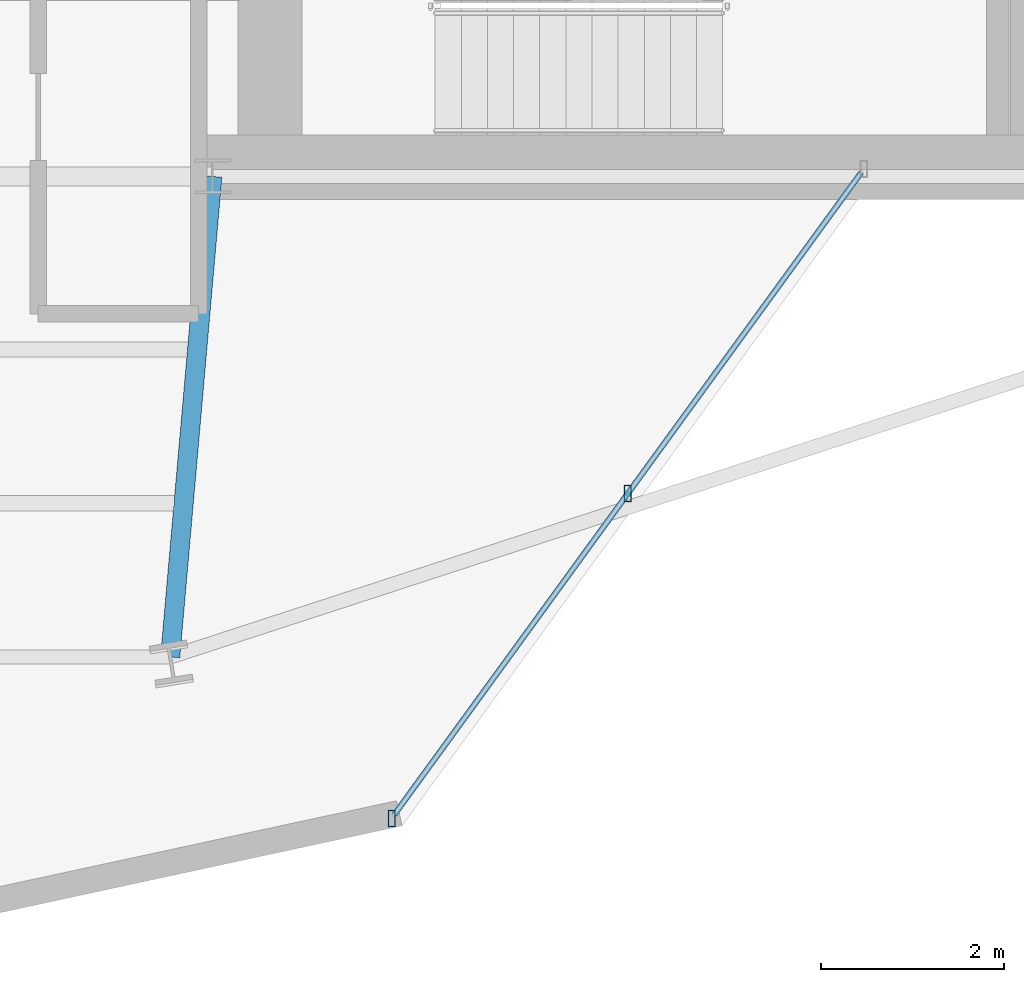
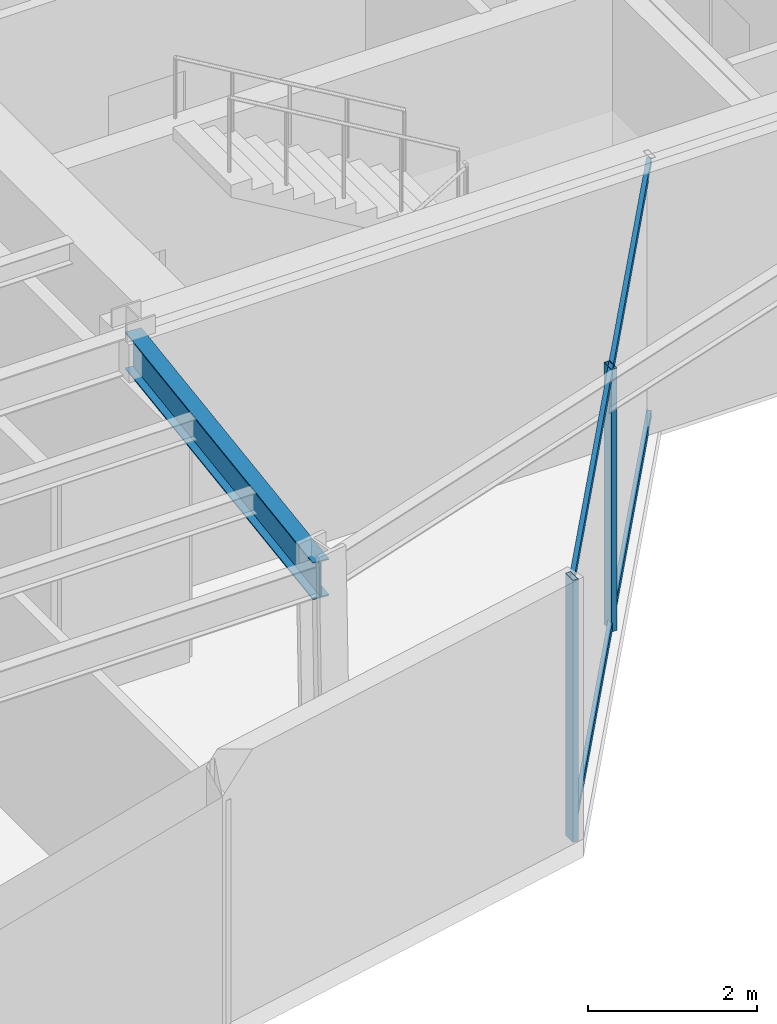
# One storey, part 6 of 21: 4 members, 1 beam, 1 element without a shape of its own.
"""IFC4 building model written with IfcOpenShell, lengths in metres."""

import ifcopenshell
import ifcopenshell.guid

model = None  # the IFC model being written
_history = None  # IfcOwnerHistory: only IFC2X3 demands one
_inside = {}  # id of a spatial element -> (the spatial element, [elements in it])
_under = {}  # id of a project, library or spatial element -> (it, [spatial elements below it])
_declared = {}  # id of a project -> (the project, [libraries it declares])
_typed = {}  # id of a type object -> (the type object, [elements of that type])
_made_of = {}  # id of a material, layer set ... -> (it, [elements and type objects made of it])


def new_model(schema):
    """Start an empty IFC model of exactly this schema.

    Asked for "IFC4X3", IfcOpenShell would pick the latest addendum, in which some entities
    have other attributes; the version numbers below select the first issue.
    IFC2X3 requires an IfcOwnerHistory on every rooted entity: one is made here for all.
    """
    global model, _history
    if schema == "IFC4X3":
        model = ifcopenshell.file(schema_version=(4, 3, 0, 0))
    else:
        model = ifcopenshell.file(schema=schema)
    _inside.clear()
    _under.clear()
    _declared.clear()
    _typed.clear()
    _made_of.clear()
    _history = None
    if model.schema == "IFC2X3":
        org = make("IfcOrganization", Name="unknown")
        user = make(
            "IfcPersonAndOrganization",
            ThePerson=make("IfcPerson", FamilyName="unknown"),
            TheOrganization=org,
        )
        app = make(
            "IfcApplication",
            ApplicationDeveloper=org,
            Version="unknown",
            ApplicationFullName="unknown",
            ApplicationIdentifier="unknown",
        )
        _history = make(
            "IfcOwnerHistory",
            OwningUser=user,
            OwningApplication=app,
            ChangeAction="ADDED",
            CreationDate=0,
        )
    return model


def make(cls, **values):
    """One entity of the class cls with the attributes given. An attribute that is None is left unset."""
    return model.create_entity(
        cls, **{name: value for name, value in values.items() if value is not None}
    )


def rooted(cls, **values):
    """An entity with a GlobalId (a new one), such as an element, a storey or a relation."""
    return make(cls, GlobalId=ifcopenshell.guid.new(), OwnerHistory=_history, **values)


def si_unit(unit_type, name, prefix=None):
    """IfcSIUnit, for example si_unit("LENGTHUNIT", "METRE", prefix="MILLI")."""
    return make("IfcSIUnit", UnitType=unit_type, Prefix=prefix, Name=name)


def assignment(units):
    """IfcUnitAssignment: the units of a project."""
    return None if units is None else make("IfcUnitAssignment", Units=units)


def point(xyz):
    """IfcCartesianPoint."""
    return None if xyz is None else make("IfcCartesianPoint", Coordinates=xyz)


def direction(xyz):
    """IfcDirection."""
    return None if xyz is None else make("IfcDirection", DirectionRatios=xyz)


def frame(location, z_axis=None, x_axis=None):
    """IfcAxis2Placement3D, a coordinate frame: its origin and axes. An axis left out is left unset."""
    return make(
        "IfcAxis2Placement3D",
        Location=point(location),
        Axis=direction(z_axis),
        RefDirection=direction(x_axis),
    )


def frame_2d(location, x_axis=None):
    """IfcAxis2Placement2D, a coordinate frame in the plane: its origin and x axis."""
    return make(
        "IfcAxis2Placement2D", Location=point(location), RefDirection=direction(x_axis)
    )


def origin():
    """The frame at (0, 0, 0) with its axes left unset."""
    return frame((0.0, 0.0, 0.0))


def origin_2d():
    """The frame at (0, 0) in the plane with its x axis left unset."""
    return frame_2d((0.0, 0.0))


def place(relative_to, where):
    """IfcLocalPlacement: puts the frame where relative to a parent placement (None: the world)."""
    return make(
        "IfcLocalPlacement", PlacementRelTo=relative_to, RelativePlacement=where
    )


def context(
    kind, dimensions, precision=None, world=None, true_north=None, identifier=None
):
    """IfcGeometricRepresentationContext, for example the 3D "Model" context."""
    return make(
        "IfcGeometricRepresentationContext",
        ContextIdentifier=identifier,
        ContextType=kind,
        CoordinateSpaceDimension=dimensions,
        Precision=precision,
        WorldCoordinateSystem=world,
        TrueNorth=true_north,
    )


def subcontext(parent, identifier, kind, view, scale=None):
    """IfcGeometricRepresentationSubContext, for example "Body" below "Model"."""
    return make(
        "IfcGeometricRepresentationSubContext",
        ContextIdentifier=identifier,
        ContextType=kind,
        ParentContext=parent,
        TargetScale=scale,
        TargetView=view,
    )


def project(units=None, contexts=None):
    """IfcProject with its units and contexts."""
    return rooted(
        "IfcProject",
        Name="project",
        RepresentationContexts=contexts,
        UnitsInContext=assignment(units),
    )


def spatial(cls, under=None, at=None, **own):
    """A site, building, storey or space (cls), placed at a placement, below another one or the project."""
    s = rooted(cls, ObjectPlacement=at, **own)
    if under is not None:
        _under.setdefault(under.id(), (under, []))[1].append(s)
    return s


def profile(cls, at=None, kind="AREA", **sizes):
    """A parametric profile (cls). Its sizes go by their IFC names, for example OverallWidth=200.0."""
    return make(cls, ProfileType=kind, Position=at, **sizes)


def hollow_rectangle(**sizes):
    """IfcRectangleHollowProfileDef."""
    return profile("IfcRectangleHollowProfileDef", **sizes)


def i_section(**sizes):
    """IfcIShapeProfileDef."""
    return profile("IfcIShapeProfileDef", **sizes)


def extrude(swept, where, along, depth):
    """IfcExtrudedAreaSolid: the profile swept, set in the frame where, extruded along a direction by depth."""
    return make(
        "IfcExtrudedAreaSolid",
        SweptArea=swept,
        Position=where,
        ExtrudedDirection=direction(along),
        Depth=depth,
    )


def shape(context_of_items, identifier, shape_type, items):
    """IfcShapeRepresentation: the items that make up one representation, for example the "Body"."""
    return make(
        "IfcShapeRepresentation",
        ContextOfItems=context_of_items,
        RepresentationIdentifier=identifier,
        RepresentationType=shape_type,
        Items=items,
    )


def material(Name=None, Category=None):
    """IfcMaterial."""
    return make("IfcMaterial", Name=Name, Category=Category)


def layer(
    of_material, thickness, ventilated=None, Name=None, Category=None, Priority=None
):
    """IfcMaterialLayer: one layer of a wall or slab, of a material (None: an air gap)."""
    return make(
        "IfcMaterialLayer",
        Material=of_material,
        LayerThickness=thickness,
        IsVentilated=ventilated,
        Name=Name,
        Category=Category,
        Priority=Priority,
    )


def layer_set(layers, Name=None):
    """IfcMaterialLayerSet."""
    return make("IfcMaterialLayerSet", MaterialLayers=layers, LayerSetName=Name)


def material_profile(
    of_material, cross_section, Name=None, Category=None, Priority=None
):
    """IfcMaterialProfile: a cross section and its material."""
    return make(
        "IfcMaterialProfile",
        Name=Name,
        Material=of_material,
        Profile=cross_section,
        Priority=Priority,
        Category=Category,
    )


def profile_set(profiles, Name=None, composite=None):
    """IfcMaterialProfileSet."""
    return make(
        "IfcMaterialProfileSet",
        Name=Name,
        MaterialProfiles=profiles,
        CompositeProfile=composite,
    )


def made_of(thing, what):
    """Note that an element or type object is made of a material, layer set ...; save() writes the relation."""
    if what is not None:
        _made_of.setdefault(what.id(), (what, []))[1].append(thing)
    return thing


def type_object(cls, material=None, **own):
    """A type object (cls), such as IfcWallType, which elements share."""
    return made_of(rooted(cls, **own), material)


def element(
    cls,
    number,
    at=None,
    inside=None,
    cuts=None,
    type_object=None,
    material=None,
    context=None,
    identifier="Body",
    shape_type=None,
    held_by="IfcProductDefinitionShape",
    body=None,
    shapes=None,
    **own,
):
    """One element of the class cls, such as IfcWall. Its Tag is "e" and its number.

    at: its placement. inside: the storey or other place that contains it. cuts: it is an
    opening in that element (IfcRelVoidsElement). A single representation is given by context,
    identifier, shape_type and body (its items); several are given by shapes. held_by: the class
    of the entity that holds the representations. save() writes the other relations.
    """
    e = rooted(cls, Tag="e%d" % number, ObjectPlacement=at, **own)
    if body is not None:
        shapes = [shape(context, identifier, shape_type, body)]
    if shapes is not None:
        e.Representation = make(held_by, Representations=shapes)
    if inside is not None:
        _inside.setdefault(inside.id(), (inside, []))[1].append(e)
    if cuts is not None:
        rooted(
            "IfcRelVoidsElement", RelatingBuildingElement=cuts, RelatedOpeningElement=e
        )
    if type_object is not None:
        _typed.setdefault(type_object.id(), (type_object, []))[1].append(e)
    return made_of(e, material)


def aggregate(whole, parts):
    """IfcRelAggregates: a whole, such as a stair, and the parts it consists of."""
    return rooted("IfcRelAggregates", RelatingObject=whole, RelatedObjects=parts)


def save(model, path):
    """Write the relations noted so far, then the file.

    IfcRelAggregates (storeys below a building ...), IfcRelContainedInSpatialStructure (elements
    in a storey), IfcRelDefinesByType, IfcRelAssociatesMaterial and IfcRelDeclares: one each for
    every whole, place, type object, material and project.
    """
    for whole, parts in _under.values():
        aggregate(whole, parts)
    for where, things in _inside.values():
        rooted(
            "IfcRelContainedInSpatialStructure",
            RelatedElements=things,
            RelatingStructure=where,
        )
    for kind, things in _typed.values():
        rooted("IfcRelDefinesByType", RelatedObjects=things, RelatingType=kind)
    for what, things in _made_of.values():
        rooted("IfcRelAssociatesMaterial", RelatedObjects=things, RelatingMaterial=what)
    for by, libraries in _declared.values():
        rooted("IfcRelDeclares", RelatingContext=by, RelatedDefinitions=libraries)
    model.write(path)


model = new_model("IFC4")

# Units and contexts
model_context = context("Model", 3, precision=1e-05, world=origin(), true_north=direction((0.0, 1.0)))
body_context = subcontext(model_context, "Body", "Model", "MODEL_VIEW")
ifc_project = project(units=[si_unit("LENGTHUNIT", "METRE"), si_unit("AREAUNIT", "SQUARE_METRE"), si_unit("VOLUMEUNIT", "CUBIC_METRE"), si_unit("PLANEANGLEUNIT", "RADIAN"), si_unit("MASSUNIT", "GRAM", prefix="KILO")], contexts=[model_context])

# Site, building, storey
site_placement = place(None, origin())
site = spatial("IfcSite", under=ifc_project, at=site_placement, CompositionType="ELEMENT")
building_placement = place(site_placement, origin())
building = spatial("IfcBuilding", under=site, at=building_placement, Name="Veymaron Broadcast Tower", CompositionType="ELEMENT")
storey_placement = place(building_placement, frame((0.0, 0.0, 232.35009765625)))
storey = spatial("IfcBuildingStorey", under=building, at=storey_placement, Name="L54", CompositionType="ELEMENT", Elevation=232.35009765625)

# Beam
ifc_material_1 = material(Name="Structural steel ASTM A992 Gr 50", Category="steel")
ifc_material_profile_1 = material_profile(ifc_material_1, i_section(OverallWidth=0.2099609375, OverallDepth=0.537109375, WebThickness=0.010986328125, FlangeThickness=0.017333984375, at=origin_2d()), Name="W530X101")
ifc_profile_set_1 = profile_set([ifc_material_profile_1], Name="Structural steel ASTM A992 Gr 50")
beam_type = type_object("IfcBeamType", Name="BM-FG3", PredefinedType="BEAM", material=ifc_profile_set_1)
beam_placement = place(storey_placement, frame((39.0, 16.0, 3.521484375), z_axis=(-0.087442735318, -0.996169547838, 0.0), x_axis=(0.996169547838, -0.087442735318, 0.0)))
element("IfcBeam", 1, at=beam_placement, inside=storey, type_object=beam_type, Name="L54 primary structural floor girder", PredefinedType="BEAM", context=body_context, shape_type="SweptSolid", body=[
    extrude(i_section(OverallWidth=0.2099609375, OverallDepth=0.537109375, WebThickness=0.010986328125, FlangeThickness=0.017333984375, at=origin_2d()), origin(), (0.0, 0.0, 1.0), 5.26025390625),
])

# Curtain wall, members
ifc_material_2 = material(Name="Anodised aluminium AA 6063-T6 and laminated low-E dark glass", Category="aluminium")
ifc_layer = layer(ifc_material_2, 0.179931640625)
ifc_layer_set = layer_set([ifc_layer], Name="Anodised aluminium AA 6063-T6 and laminated low-E dark glass")
curtain_wall_type = type_object("IfcCurtainWallType", Name="CW-SYS-05", PredefinedType="NOTDEFINED", material=ifc_layer_set)
curtain_wall_placement = place(storey_placement, origin())
curtain_wall = element("IfcCurtainWall", 2, at=curtain_wall_placement, inside=storey, type_object=curtain_wall_type, Name="L54 dark-glass curtain wall CW-L54-E20-1", PredefinedType="NOTDEFINED")
ifc_material_3 = material(Name="Anodised aluminium AA 6063-T6", Category="aluminium")
ifc_material_profile_2 = material_profile(ifc_material_3, hollow_rectangle(XDim=0.074951171875, YDim=0.179931640625, WallThickness=0.0048828125, at=origin_2d()), Name="AL180X75X5")
ifc_profile_set_2 = profile_set([ifc_material_profile_2], Name="Anodised aluminium AA 6063-T6")
member_type_1 = type_object("IfcMemberType", Name="CW-MUL-02", PredefinedType="MULLION", material=ifc_profile_set_2)
member_1_placement = place(storey_placement, frame((40.955322265625, 9.000244140625, 0.0), z_axis=(0.0, 0.0, 1.0), x_axis=(1.0, 0.0, 0.0)))
member_1 = element("IfcMember", 3, at=member_1_placement, type_object=member_type_1, Name="CW-L54-E20-1 mullion 0", PredefinedType="MULLION", context=body_context, shape_type="SweptSolid", body=[
    extrude(hollow_rectangle(XDim=0.074951171875, YDim=0.179931640625, WallThickness=0.0048828125, at=origin_2d()), origin(), (0.0, 0.0, 1.0), 3.789794921875),
])
member_2_placement = place(storey_placement, frame((43.5302734375, 12.541259765625, 0.0), z_axis=(0.0, 0.0, 1.0), x_axis=(1.0, 0.0, 0.0)))
member_2 = element("IfcMember", 4, at=member_2_placement, type_object=member_type_1, Name="CW-L54-E20-1 mullion 1", PredefinedType="MULLION", context=body_context, shape_type="SweptSolid", body=[
    extrude(hollow_rectangle(XDim=0.074951171875, YDim=0.179931640625, WallThickness=0.0048828125, at=origin_2d()), origin(), (0.0, 0.0, 1.0), 3.789794921875),
])
ifc_material_profile_3 = material_profile(ifc_material_3, hollow_rectangle(XDim=0.06005859375, YDim=0.1201171875, WallThickness=0.00390625, at=origin_2d()), Name="AL120X60X4")
ifc_profile_set_3 = profile_set([ifc_material_profile_3], Name="Anodised aluminium AA 6063-T6")
member_type_2 = type_object("IfcMemberType", Name="CW-TRN-02", PredefinedType="USERDEFINED", material=ifc_profile_set_3)
member_3_placement = place(storey_placement, frame((40.984619140625, 9.040771484375, 0.06982421875), z_axis=(0.588116357514, 0.808776328798, 0.0), x_axis=(-0.808776328798, 0.588116357514, 0.0)))
member_3 = element("IfcMember", 5, at=member_3_placement, type_object=member_type_2, Name="CW-L54-E20-1 transom B", ObjectType="TRANSOM", PredefinedType="USERDEFINED", context=body_context, shape_type="SweptSolid", body=[
    extrude(hollow_rectangle(XDim=0.06005859375, YDim=0.1201171875, WallThickness=0.00390625, at=origin_2d()), origin(), (0.0, 0.0, 1.0), 8.656494140625),
])
member_4_placement = place(storey_placement, frame((40.984619140625, 9.040771484375, 3.719970703125), z_axis=(0.588116357514, 0.808776328798, 0.0), x_axis=(-0.808776328798, 0.588116357514, 0.0)))
member_4 = element("IfcMember", 6, at=member_4_placement, type_object=member_type_2, Name="CW-L54-E20-1 transom T", ObjectType="TRANSOM", PredefinedType="USERDEFINED", context=body_context, shape_type="SweptSolid", body=[
    extrude(hollow_rectangle(XDim=0.06005859375, YDim=0.1201171875, WallThickness=0.00390625, at=origin_2d()), origin(), (0.0, 0.0, 1.0), 8.656494140625),
])
aggregate(curtain_wall, [member_1, member_2, member_3, member_4])

save(model, "model.ifc")
